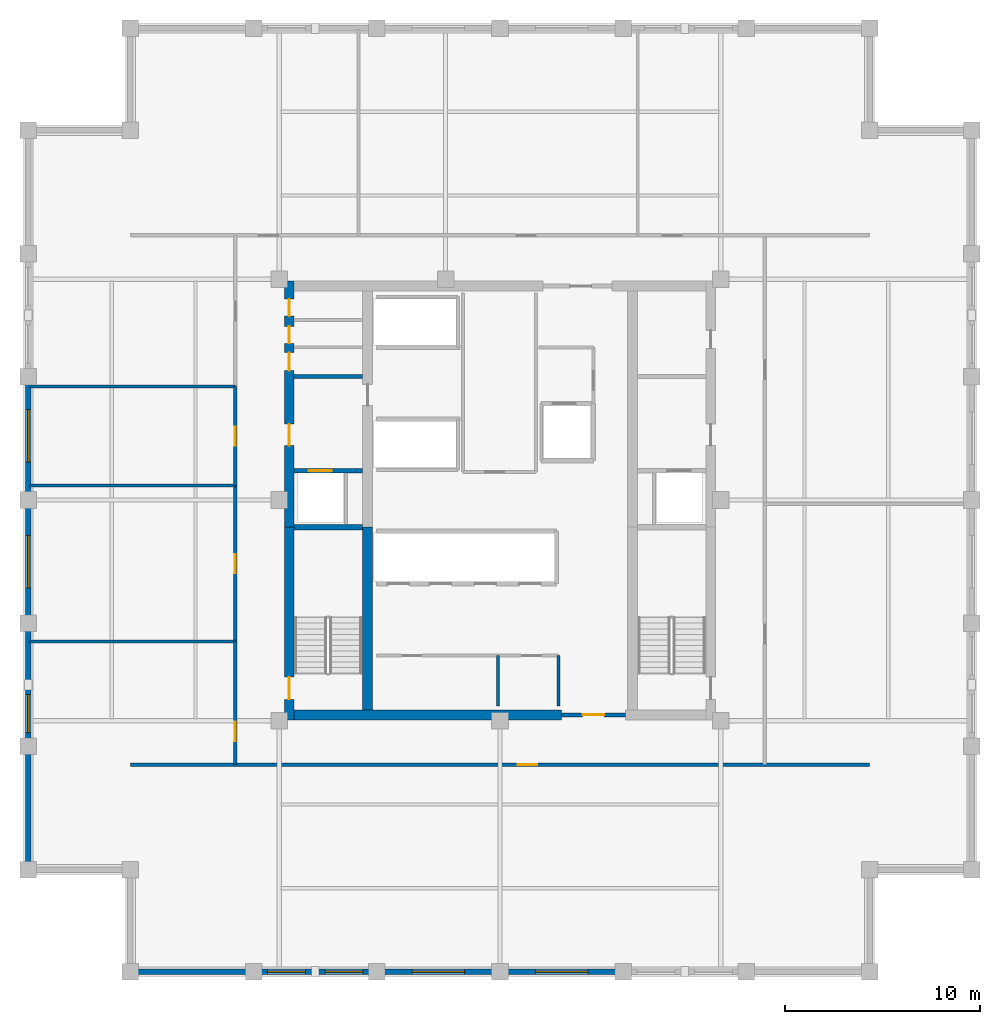
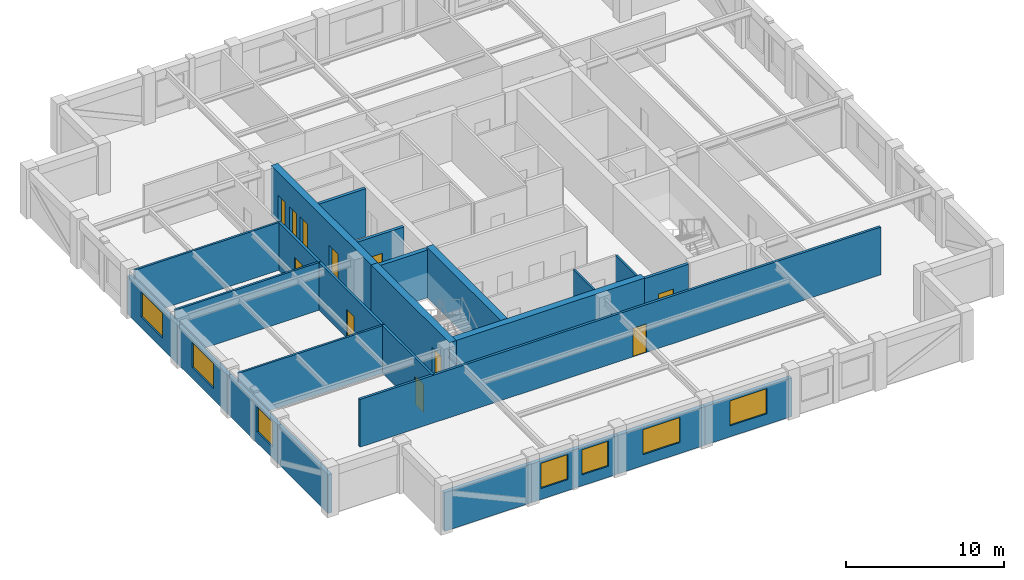
# One storey, part 2 of 6: 25 walls, 11 doors, 7 windows, 18 openings.
"""IFC4 building model written with IfcOpenShell, lengths in metres."""

from ifc_helpers import new_model, si_unit, direction, frame, frame_2d, origin, place, context, subcontext, project, spatial, rectangle, extrude, material, layer, layer_set, type_object, element, fill, save


model = new_model("IFC4")

# Units and contexts
model_context = context("Model", 3, precision=1e-05, world=origin(), true_north=direction((0.0, 1.0)))
body_context = subcontext(model_context, "Body", "Model", "MODEL_VIEW")
ifc_project = project(units=[si_unit("LENGTHUNIT", "METRE"), si_unit("AREAUNIT", "SQUARE_METRE"), si_unit("VOLUMEUNIT", "CUBIC_METRE"), si_unit("PLANEANGLEUNIT", "RADIAN"), si_unit("MASSUNIT", "GRAM", prefix="KILO")], contexts=[model_context])

# Site, building, storey
site_placement = place(None, origin())
site = spatial("IfcSite", under=ifc_project, at=site_placement, CompositionType="ELEMENT")
building_placement = place(site_placement, origin())
building = spatial("IfcBuilding", under=site, at=building_placement, Name="Nhamokura Convention Tower", CompositionType="ELEMENT")
storey_placement = place(building_placement, frame((0.0, 0.0, 194.60009765625)))
storey = spatial("IfcBuildingStorey", under=building, at=storey_placement, Name="L47", CompositionType="ELEMENT", Elevation=194.60009765625)

# Wall
ifc_material_1 = material(Name="Bronze-pigmented precast concrete C45/55", Category="concrete")
ifc_layer_1 = layer(ifc_material_1, 0.280029296875)
ifc_layer_set_1 = layer_set([ifc_layer_1], Name="BronzePrecastSpandrel_280")
wall_type_1 = type_object("IfcWallType", Name="BronzePrecastSpandrel_280", PredefinedType="USERDEFINED", material=ifc_layer_set_1)
wall_1_placement = place(storey_placement, frame((19.333251953125, 7.75, 0.0), z_axis=(0.0, 0.0, 1.0), x_axis=(-1.0, 0.0, 0.0)))
element("IfcWall", 1, at=wall_1_placement, inside=storey, type_object=wall_type_1, Name="L47 Braced-Bay Precast Wall SOUTH 0", ObjectType="SPANDREL_WALL", PredefinedType="USERDEFINED", context=body_context, shape_type="SweptSolid", body=[
    extrude(rectangle(XDim=6.333251953125, YDim=0.280029296875, at=frame_2d((3.16650390625, 0.0))), origin(), (0.0, 0.0, 1.0), 2.98486328125),
])

# Wall, openings, windows
wall_2_placement = place(storey_placement, frame((25.666748046875, 7.75, 0.0), z_axis=(0.0, 0.0, 1.0), x_axis=(-1.0, 0.0, 0.0)))
wall_2 = element("IfcWall", 2, at=wall_2_placement, inside=storey, type_object=wall_type_1, Name="L47 Masonry-Frame Wall SOUTH 1", ObjectType="SPANDREL_WALL", PredefinedType="USERDEFINED", context=body_context, shape_type="SweptSolid", body=[
    extrude(rectangle(XDim=6.33349609375, YDim=0.280029296875, at=frame_2d((3.166748046875, 0.0))), origin(), (0.0, 0.0, 1.0), 2.98486328125),
])
opening_1_placement = place(wall_2_placement, frame((0.708251953125, 0.0, 0.85009765625)))
opening_1 = element("IfcOpeningElement", 3, at=opening_1_placement, cuts=wall_2, Name="Opening W-08", PredefinedType="OPENING", context=body_context, shape_type="SweptSolid", body=[
    extrude(rectangle(XDim=1.949951171875, YDim=1.93505859375, at=frame_2d((0.97509765625, 0.967529296875))), frame((0.0, 0.14990234375, 0.0), z_axis=(0.0, -1.0, 0.0), x_axis=(1.0, 0.0, 0.0)), (0.0, 0.0, 1.0), 0.300048828125),
])
opening_2_placement = place(wall_2_placement, frame((3.675048828125, 0.0, 0.85009765625)))
opening_2 = element("IfcOpeningElement", 4, at=opening_2_placement, cuts=wall_2, Name="Opening W-08", PredefinedType="OPENING", context=body_context, shape_type="SweptSolid", body=[
    extrude(rectangle(XDim=1.949951171875, YDim=1.93505859375, at=frame_2d((0.97509765625, 0.967529296875))), frame((0.0, 0.14990234375, 0.0), z_axis=(0.0, -1.0, 0.0), x_axis=(1.0, 0.0, 0.0)), (0.0, 0.0, 1.0), 0.300048828125),
])
ifc_material_2 = material(Name="Solar-control bronze low-E double glass", Category="glass")
window_type_1 = type_object("IfcWindowType", Name="OfficeModuleWindow_Z3_1950", PartitioningType="SINGLE_PANEL", PredefinedType="WINDOW", material=ifc_material_2)
window_1_placement = place(opening_1_placement, origin())
window_1 = element("IfcWindow", 5, at=window_1_placement, inside=storey, type_object=window_type_1, Name="L47 Facade Window SOUTH 1-1", OverallHeight=1.93505859375, OverallWidth=1.949951171875, PartitioningType="SINGLE_PANEL", PredefinedType="WINDOW", context=body_context, shape_type="SweptSolid", body=[
    extrude(rectangle(XDim=1.949951171875, YDim=1.93505859375, at=frame_2d((0.97509765625, 0.967529296875))), frame((0.0, 0.030029296875, 0.0), z_axis=(0.0, -1.0, 0.0), x_axis=(1.0, 0.0, 0.0)), (0.0, 0.0, 1.0), 0.06005859375),
])
fill(opening_1, window_1)
window_2_placement = place(opening_2_placement, origin())
window_2 = element("IfcWindow", 6, at=window_2_placement, inside=storey, type_object=window_type_1, Name="L47 Facade Window SOUTH 1-2", OverallHeight=1.93505859375, OverallWidth=1.949951171875, PartitioningType="SINGLE_PANEL", PredefinedType="WINDOW", context=body_context, shape_type="SweptSolid", body=[
    extrude(rectangle(XDim=1.949951171875, YDim=1.93505859375, at=frame_2d((0.97509765625, 0.967529296875))), frame((0.0, 0.030029296875, 0.0), z_axis=(0.0, -1.0, 0.0), x_axis=(1.0, 0.0, 0.0)), (0.0, 0.0, 1.0), 0.06005859375),
])
fill(opening_2, window_2)

# Wall, opening, window
wall_3_placement = place(storey_placement, frame((32.0, 7.75, 0.0), z_axis=(0.0, 0.0, 1.0), x_axis=(-1.0, 0.0, 0.0)))
wall_3 = element("IfcWall", 7, at=wall_3_placement, inside=storey, type_object=wall_type_1, Name="L47 Masonry-Frame Wall SOUTH 2", ObjectType="SPANDREL_WALL", PredefinedType="USERDEFINED", context=body_context, shape_type="SweptSolid", body=[
    extrude(rectangle(XDim=6.333251953125, YDim=0.280029296875, at=frame_2d((3.16650390625, 0.0))), origin(), (0.0, 0.0, 1.0), 2.98486328125),
])
opening_3_placement = place(wall_3_placement, frame((1.816650390625, 0.0, 0.85009765625)))
opening_3 = element("IfcOpeningElement", 8, at=opening_3_placement, cuts=wall_3, Name="Opening W-07", PredefinedType="OPENING", context=body_context, shape_type="SweptSolid", body=[
    extrude(rectangle(XDim=2.699951171875, YDim=1.93505859375, at=frame_2d((1.35009765625, 0.967529296875))), frame((0.0, 0.14990234375, 0.0), z_axis=(0.0, -1.0, 0.0), x_axis=(1.0, 0.0, 0.0)), (0.0, 0.0, 1.0), 0.300048828125),
])
ifc_material_3 = material(Name="Solar-control bronze low-E double glass", Category="glass")
window_type_2 = type_object("IfcWindowType", Name="OfficeModuleWindow_Z3_2700", PartitioningType="DOUBLE_PANEL_VERTICAL", PredefinedType="WINDOW", material=ifc_material_3)
window_3_placement = place(opening_3_placement, origin())
window_3 = element("IfcWindow", 9, at=window_3_placement, inside=storey, type_object=window_type_2, Name="L47 Facade Window SOUTH 2", OverallHeight=1.93505859375, OverallWidth=2.699951171875, PartitioningType="SINGLE_PANEL", PredefinedType="WINDOW", context=body_context, shape_type="SweptSolid", body=[
    extrude(rectangle(XDim=2.699951171875, YDim=1.93505859375, at=frame_2d((1.35009765625, 0.967529296875))), frame((0.0, 0.030029296875, 0.0), z_axis=(0.0, -1.0, 0.0), x_axis=(1.0, 0.0, 0.0)), (0.0, 0.0, 1.0), 0.06005859375),
])
fill(opening_3, window_3)

wall_4_placement = place(storey_placement, frame((38.333251953125, 7.75, 0.0), z_axis=(0.0, 0.0, 1.0), x_axis=(-1.0, 0.0, 0.0)))
wall_4 = element("IfcWall", 10, at=wall_4_placement, inside=storey, type_object=wall_type_1, Name="L47 Masonry-Frame Wall SOUTH 3", ObjectType="SPANDREL_WALL", PredefinedType="USERDEFINED", context=body_context, shape_type="SweptSolid", body=[
    extrude(rectangle(XDim=6.333251953125, YDim=0.280029296875, at=frame_2d((3.16650390625, 0.0))), origin(), (0.0, 0.0, 1.0), 2.98486328125),
])
opening_4_placement = place(wall_4_placement, frame((1.816650390625, 0.0, 0.85009765625)))
opening_4 = element("IfcOpeningElement", 11, at=opening_4_placement, cuts=wall_4, Name="Opening W-07", PredefinedType="OPENING", context=body_context, shape_type="SweptSolid", body=[
    extrude(rectangle(XDim=2.699951171875, YDim=1.93505859375, at=frame_2d((1.35009765625, 0.967529296875))), frame((0.0, 0.14990234375, 0.0), z_axis=(0.0, -1.0, 0.0), x_axis=(1.0, 0.0, 0.0)), (0.0, 0.0, 1.0), 0.300048828125),
])
window_4_placement = place(opening_4_placement, origin())
window_4 = element("IfcWindow", 12, at=window_4_placement, inside=storey, type_object=window_type_2, Name="L47 Facade Window SOUTH 3", OverallHeight=1.93505859375, OverallWidth=2.699951171875, PartitioningType="SINGLE_PANEL", PredefinedType="WINDOW", context=body_context, shape_type="SweptSolid", body=[
    extrude(rectangle(XDim=2.699951171875, YDim=1.93505859375, at=frame_2d((1.35009765625, 0.967529296875))), frame((0.0, 0.030029296875, 0.0), z_axis=(0.0, -1.0, 0.0), x_axis=(1.0, 0.0, 0.0)), (0.0, 0.0, 1.0), 0.06005859375),
])
fill(opening_4, window_4)

# Wall
wall_5_placement = place(storey_placement, frame((7.75, 13.0, 0.0), z_axis=(0.0, 0.0, 1.0), x_axis=(0.0, 1.0, 0.0)))
element("IfcWall", 13, at=wall_5_placement, inside=storey, type_object=wall_type_1, Name="L47 Braced-Bay Precast Wall WEST 0", ObjectType="SPANDREL_WALL", PredefinedType="USERDEFINED", context=body_context, shape_type="SweptSolid", body=[
    extrude(rectangle(XDim=6.333251953125, YDim=0.280029296875, at=frame_2d((3.16650390625, 0.0))), origin(), (0.0, 0.0, 1.0), 2.98486328125),
])

# Wall, opening, window
wall_6_placement = place(storey_placement, frame((7.75, 19.333251953125, 0.0), z_axis=(0.0, 0.0, 1.0), x_axis=(0.0, 1.0, 0.0)))
wall_6 = element("IfcWall", 14, at=wall_6_placement, inside=storey, type_object=wall_type_1, Name="L47 Masonry-Frame Wall WEST 1", ObjectType="SPANDREL_WALL", PredefinedType="USERDEFINED", context=body_context, shape_type="SweptSolid", body=[
    extrude(rectangle(XDim=6.33349609375, YDim=0.280029296875, at=frame_2d((3.166748046875, 0.0))), origin(), (0.0, 0.0, 1.0), 2.98486328125),
])
opening_5_placement = place(wall_6_placement, frame((0.708251953125, 0.0, 0.85009765625)))
opening_5 = element("IfcOpeningElement", 15, at=opening_5_placement, cuts=wall_6, Name="Opening W-08", PredefinedType="OPENING", context=body_context, shape_type="SweptSolid", body=[
    extrude(rectangle(XDim=1.949951171875, YDim=1.93505859375, at=frame_2d((0.97509765625, 0.967529296875))), frame((0.0, 0.14990234375, 0.0), z_axis=(0.0, -1.0, 0.0), x_axis=(1.0, 0.0, 0.0)), (0.0, 0.0, 1.0), 0.300048828125),
])
window_5_placement = place(opening_5_placement, origin())
window_5 = element("IfcWindow", 16, at=window_5_placement, inside=storey, type_object=window_type_1, Name="L47 Facade Window WEST 1-1", OverallHeight=1.93505859375, OverallWidth=1.949951171875, PartitioningType="SINGLE_PANEL", PredefinedType="WINDOW", context=body_context, shape_type="SweptSolid", body=[
    extrude(rectangle(XDim=1.949951171875, YDim=1.93505859375, at=frame_2d((0.97509765625, 0.967529296875))), frame((0.0, 0.030029296875, 0.0), z_axis=(0.0, -1.0, 0.0), x_axis=(1.0, 0.0, 0.0)), (0.0, 0.0, 1.0), 0.06005859375),
])
fill(opening_5, window_5)

wall_7_placement = place(storey_placement, frame((7.75, 25.666748046875, 0.0), z_axis=(0.0, 0.0, 1.0), x_axis=(0.0, 1.0, 0.0)))
wall_7 = element("IfcWall", 17, at=wall_7_placement, inside=storey, type_object=wall_type_1, Name="L47 Masonry-Frame Wall WEST 2", ObjectType="SPANDREL_WALL", PredefinedType="USERDEFINED", context=body_context, shape_type="SweptSolid", body=[
    extrude(rectangle(XDim=6.333251953125, YDim=0.280029296875, at=frame_2d((3.16650390625, 0.0))), origin(), (0.0, 0.0, 1.0), 2.98486328125),
])
opening_6_placement = place(wall_7_placement, frame((1.816650390625, 0.0, 0.85009765625)))
opening_6 = element("IfcOpeningElement", 18, at=opening_6_placement, cuts=wall_7, Name="Opening W-07", PredefinedType="OPENING", context=body_context, shape_type="SweptSolid", body=[
    extrude(rectangle(XDim=2.699951171875, YDim=1.93505859375, at=frame_2d((1.35009765625, 0.967529296875))), frame((0.0, 0.14990234375, 0.0), z_axis=(0.0, -1.0, 0.0), x_axis=(1.0, 0.0, 0.0)), (0.0, 0.0, 1.0), 0.300048828125),
])
window_6_placement = place(opening_6_placement, origin())
window_6 = element("IfcWindow", 19, at=window_6_placement, inside=storey, type_object=window_type_2, Name="L47 Facade Window WEST 2", OverallHeight=1.93505859375, OverallWidth=2.699951171875, PartitioningType="SINGLE_PANEL", PredefinedType="WINDOW", context=body_context, shape_type="SweptSolid", body=[
    extrude(rectangle(XDim=2.699951171875, YDim=1.93505859375, at=frame_2d((1.35009765625, 0.967529296875))), frame((0.0, 0.030029296875, 0.0), z_axis=(0.0, -1.0, 0.0), x_axis=(1.0, 0.0, 0.0)), (0.0, 0.0, 1.0), 0.06005859375),
])
fill(opening_6, window_6)

wall_8_placement = place(storey_placement, frame((7.75, 32.0, 0.0), z_axis=(0.0, 0.0, 1.0), x_axis=(0.0, 1.0, 0.0)))
wall_8 = element("IfcWall", 20, at=wall_8_placement, inside=storey, type_object=wall_type_1, Name="L47 Masonry-Frame Wall WEST 3", ObjectType="SPANDREL_WALL", PredefinedType="USERDEFINED", context=body_context, shape_type="SweptSolid", body=[
    extrude(rectangle(XDim=6.333251953125, YDim=0.280029296875, at=frame_2d((3.16650390625, 0.0))), origin(), (0.0, 0.0, 1.0), 2.98486328125),
])
opening_7_placement = place(wall_8_placement, frame((1.941650390625, 0.0, 0.85009765625)))
opening_7 = element("IfcOpeningElement", 21, at=opening_7_placement, cuts=wall_8, Name="Opening W-07", PredefinedType="OPENING", context=body_context, shape_type="SweptSolid", body=[
    extrude(rectangle(XDim=2.699951171875, YDim=1.93505859375, at=frame_2d((1.35009765625, 0.967529296875))), frame((0.0, 0.14990234375, 0.0), z_axis=(0.0, -1.0, 0.0), x_axis=(1.0, 0.0, 0.0)), (0.0, 0.0, 1.0), 0.300048828125),
])
window_7_placement = place(opening_7_placement, origin())
window_7 = element("IfcWindow", 22, at=window_7_placement, inside=storey, type_object=window_type_2, Name="L47 Facade Window WEST 3", OverallHeight=1.93505859375, OverallWidth=2.699951171875, PartitioningType="SINGLE_PANEL", PredefinedType="WINDOW", context=body_context, shape_type="SweptSolid", body=[
    extrude(rectangle(XDim=2.699951171875, YDim=1.93505859375, at=frame_2d((1.35009765625, 0.967529296875))), frame((0.0, 0.030029296875, 0.0), z_axis=(0.0, -1.0, 0.0), x_axis=(1.0, 0.0, 0.0)), (0.0, 0.0, 1.0), 0.06005859375),
])
fill(opening_7, window_7)

# Wall, opening, door
ifc_material_4 = material(Name="Concrete C60/75", Category="concrete")
ifc_layer_2 = layer(ifc_material_4, 0.5)
ifc_layer_set_2 = layer_set([ifc_layer_2], Name="CoreShearWall_500")
wall_type_2 = type_object("IfcWallType", Name="CoreShearWall_500", PredefinedType="SHEAR", material=ifc_layer_set_2)
wall_9_placement = place(storey_placement, frame((21.159912109375, 20.699951171875, 0.0), z_axis=(0.0, 0.0, 1.0), x_axis=(0.0, 1.0, 0.0)))
wall_9 = element("IfcWall", 23, at=wall_9_placement, inside=storey, type_object=wall_type_2, Name="L47 Core Shear Wall CW-WS", PredefinedType="SHEAR", context=body_context, shape_type="SweptSolid", body=[
    extrude(rectangle(XDim=9.900146484375, YDim=0.5, at=frame_2d((4.9501953125, 0.0))), origin(), (0.0, 0.0, 1.0), 3.849853515625),
])
opening_8_placement = place(wall_9_placement, frame((1.050048828125, 0.0, 0.0)))
opening_8 = element("IfcOpeningElement", 24, at=opening_8_placement, cuts=wall_9, Name="Opening D-04", PredefinedType="OPENING", context=body_context, shape_type="SweptSolid", body=[
    extrude(rectangle(XDim=1.14990234375, YDim=2.14990234375, at=frame_2d((0.574951171875, 1.074951171875))), frame((0.0, 0.260009765625, 0.0), z_axis=(0.0, -1.0, 0.0), x_axis=(1.0, 0.0, 0.0)), (0.0, 0.0, 1.0), 0.52001953125),
])
ifc_material_5 = material(Name="Fire-rated steel door", Category="steel")
door_type_1 = type_object("IfcDoorType", Name="StairSmokeDoor_1150", OperationType="NOTDEFINED", PredefinedType="DOOR", material=ifc_material_5)
door_1_placement = place(opening_8_placement, origin())
door_1 = element("IfcDoor", 25, at=door_1_placement, inside=storey, type_object=door_type_1, Name="L47 Core Door INT-L47-D-ST01", OperationType="SINGLE_SWING_LEFT", OverallHeight=2.14990234375, OverallWidth=1.14990234375, PredefinedType="DOOR", context=body_context, shape_type="SweptSolid", body=[
    extrude(rectangle(XDim=1.14990234375, YDim=2.14990234375, at=frame_2d((0.574951171875, 1.074951171875))), frame((0.0, 0.02490234375, 0.0), z_axis=(0.0, -1.0, 0.0), x_axis=(1.0, 0.0, 0.0)), (0.0, 0.0, 1.0), 0.050048828125),
])
fill(opening_8, door_1)

# Wall, openings, doors
wall_10_placement = place(storey_placement, frame((21.159912109375, 30.60009765625, 0.0), z_axis=(0.0, 0.0, 1.0), x_axis=(0.0, 1.0, 0.0)))
wall_10 = element("IfcWall", 26, at=wall_10_placement, inside=storey, type_object=wall_type_2, Name="L47 Core Shear Wall CW-WN", PredefinedType="SHEAR", context=body_context, shape_type="SweptSolid", body=[
    extrude(rectangle(XDim=12.64990234375, YDim=0.5, at=frame_2d((6.324951171875, 0.0))), origin(), (0.0, 0.0, 1.0), 3.849853515625),
])
opening_9_placement = place(wall_10_placement, frame((4.199951171875, 0.0, 0.0)))
opening_9 = element("IfcOpeningElement", 27, at=opening_9_placement, cuts=wall_10, Name="Opening D-05", PredefinedType="OPENING", context=body_context, shape_type="SweptSolid", body=[
    extrude(rectangle(XDim=1.10009765625, YDim=2.14990234375, at=frame_2d((0.550048828125, 1.074951171875))), frame((0.0, 0.260009765625, 0.0), z_axis=(0.0, -1.0, 0.0), x_axis=(1.0, 0.0, 0.0)), (0.0, 0.0, 1.0), 0.52001953125),
])
opening_10_placement = place(wall_10_placement, frame((8.050048828125, 0.0, 0.0)))
opening_10 = element("IfcOpeningElement", 28, at=opening_10_placement, cuts=wall_10, Name="Opening D-10", PredefinedType="OPENING", context=body_context, shape_type="SweptSolid", body=[
    extrude(rectangle(XDim=0.919921875, YDim=2.10009765625, at=frame_2d((0.4599609375, 1.050048828125))), frame((0.0, 0.260009765625, 0.0), z_axis=(0.0, -1.0, 0.0), x_axis=(1.0, 0.0, 0.0)), (0.0, 0.0, 1.0), 0.52001953125),
])
opening_11_placement = place(wall_10_placement, frame((9.449951171875, 0.0, 0.0)))
opening_11 = element("IfcOpeningElement", 29, at=opening_11_placement, cuts=wall_10, Name="Opening D-11", PredefinedType="OPENING", context=body_context, shape_type="SweptSolid", body=[
    extrude(rectangle(XDim=0.8798828125, YDim=2.10009765625, at=frame_2d((0.43994140625, 1.050048828125))), frame((0.0, 0.260009765625, 0.0), z_axis=(0.0, -1.0, 0.0), x_axis=(1.0, 0.0, 0.0)), (0.0, 0.0, 1.0), 0.52001953125),
])
opening_12_placement = place(wall_10_placement, frame((10.85009765625, 0.0, 0.0)))
opening_12 = element("IfcOpeningElement", 30, at=opening_12_placement, cuts=wall_10, Name="Opening D-11", PredefinedType="OPENING", context=body_context, shape_type="SweptSolid", body=[
    extrude(rectangle(XDim=0.8798828125, YDim=2.10009765625, at=frame_2d((0.43994140625, 1.050048828125))), frame((0.0, 0.260009765625, 0.0), z_axis=(0.0, -1.0, 0.0), x_axis=(1.0, 0.0, 0.0)), (0.0, 0.0, 1.0), 0.52001953125),
])
ifc_material_6 = material(Name="Solid oak hardwood", Category="wood")
door_type_2 = type_object("IfcDoorType", Name="AccessibleWCDoor_920", OperationType="NOTDEFINED", PredefinedType="DOOR", material=ifc_material_6)
door_2_placement = place(opening_10_placement, origin())
door_2 = element("IfcDoor", 31, at=door_2_placement, inside=storey, type_object=door_type_2, Name="L47 Core Door INT-L47-D-AWC", OperationType="SINGLE_SWING_LEFT", OverallHeight=2.10009765625, OverallWidth=0.919921875, PredefinedType="DOOR", context=body_context, shape_type="SweptSolid", body=[
    extrude(rectangle(XDim=0.919921875, YDim=2.10009765625, at=frame_2d((0.4599609375, 1.050048828125))), frame((0.0, 0.02490234375, 0.0), z_axis=(0.0, -1.0, 0.0), x_axis=(1.0, 0.0, 0.0)), (0.0, 0.0, 1.0), 0.050048828125),
])
fill(opening_10, door_2)
ifc_material_7 = material(Name="Solid oak hardwood", Category="wood")
door_type_3 = type_object("IfcDoorType", Name="BathroomDoor_880", OperationType="NOTDEFINED", PredefinedType="DOOR", material=ifc_material_7)
door_3_placement = place(opening_11_placement, origin())
door_3 = element("IfcDoor", 32, at=door_3_placement, inside=storey, type_object=door_type_3, Name="L47 Core Door INT-L47-D-CLN", OperationType="SINGLE_SWING_RIGHT", OverallHeight=2.10009765625, OverallWidth=0.8798828125, PredefinedType="DOOR", context=body_context, shape_type="SweptSolid", body=[
    extrude(rectangle(XDim=0.8798828125, YDim=2.10009765625, at=frame_2d((0.43994140625, 1.050048828125))), frame((0.0, 0.02490234375, 0.0), z_axis=(0.0, -1.0, 0.0), x_axis=(1.0, 0.0, 0.0)), (0.0, 0.0, 1.0), 0.050048828125),
])
fill(opening_11, door_3)
door_4_placement = place(opening_12_placement, origin())
door_4 = element("IfcDoor", 33, at=door_4_placement, inside=storey, type_object=door_type_3, Name="L47 Core Door INT-L47-D-PNT", OperationType="SINGLE_SWING_LEFT", OverallHeight=2.10009765625, OverallWidth=0.8798828125, PredefinedType="DOOR", context=body_context, shape_type="SweptSolid", body=[
    extrude(rectangle(XDim=0.8798828125, YDim=2.10009765625, at=frame_2d((0.43994140625, 1.050048828125))), frame((0.0, 0.02490234375, 0.0), z_axis=(0.0, -1.0, 0.0), x_axis=(1.0, 0.0, 0.0)), (0.0, 0.0, 1.0), 0.050048828125),
])
fill(opening_12, door_4)
ifc_material_8 = material(Name="Fire-rated steel door", Category="steel")
door_type_4 = type_object("IfcDoorType", Name="FireLobbyDoor_1100", OperationType="NOTDEFINED", PredefinedType="DOOR", material=ifc_material_8)
door_5_placement = place(opening_9_placement, origin())
door_5 = element("IfcDoor", 34, at=door_5_placement, inside=storey, type_object=door_type_4, Name="L47 Core Door INT-L47-D-FFLW", OperationType="SINGLE_SWING_RIGHT", OverallHeight=2.14990234375, OverallWidth=1.10009765625, PredefinedType="DOOR", context=body_context, shape_type="SweptSolid", body=[
    extrude(rectangle(XDim=1.10009765625, YDim=2.14990234375, at=frame_2d((0.550048828125, 1.074951171875))), frame((0.0, 0.02490234375, 0.0), z_axis=(0.0, -1.0, 0.0), x_axis=(1.0, 0.0, 0.0)), (0.0, 0.0, 1.0), 0.050048828125),
])
fill(opening_9, door_5)

# Walls
wall_11_placement = place(storey_placement, frame((21.409912109375, 20.949951171875, 0.0), z_axis=(0.0, 0.0, 1.0), x_axis=(1.0, 0.0, 0.0)))
element("IfcWall", 35, at=wall_11_placement, inside=storey, type_object=wall_type_2, Name="L47 Core Shear Wall CW-S1", PredefinedType="SHEAR", context=body_context, shape_type="SweptSolid", body=[
    extrude(rectangle(XDim=13.739990234375, YDim=0.5, at=frame_2d((6.8701171875, 0.0))), origin(), (0.0, 0.0, 1.0), 3.849853515625),
])
wall_12_placement = place(storey_placement, frame((25.18994140625, 21.199951171875, 0.0), z_axis=(0.0, 0.0, 1.0), x_axis=(0.0, 1.0, 0.0)))
element("IfcWall", 36, at=wall_12_placement, inside=storey, type_object=wall_type_2, Name="L47 Core Shear Wall CW-IWS", PredefinedType="SHEAR", context=body_context, shape_type="SweptSolid", body=[
    extrude(rectangle(XDim=9.400146484375, YDim=0.5, at=frame_2d((4.7001953125, 0.0))), origin(), (0.0, 0.0, 1.0), 3.849853515625),
])

# Wall, opening, door
ifc_material_9 = material(Name="Fire-rated gypsum and masonry partition", Category="masonry")
ifc_layer_3 = layer(ifc_material_9, 0.179931640625)
ifc_layer_set_3 = layer_set([ifc_layer_3], Name="CorridorRatedWall_180")
wall_type_3 = type_object("IfcWallType", Name="CorridorRatedWall_180", PredefinedType="STANDARD", material=ifc_layer_set_3)
wall_13_placement = place(storey_placement, frame((13.0, 18.39990234375, 0.0), z_axis=(0.0, 0.0, 1.0), x_axis=(1.0, 0.0, 0.0)))
wall_13 = element("IfcWall", 37, at=wall_13_placement, inside=storey, type_object=wall_type_3, Name="L47 Wall INT-L47-CW-S00", PredefinedType="STANDARD", context=body_context, shape_type="SweptSolid", body=[
    extrude(rectangle(XDim=38.0, YDim=0.179931640625, at=frame_2d((19.0, 0.0))), origin(), (0.0, 0.0, 1.0), 3.684814453125),
])
opening_13_placement = place(wall_13_placement, frame((19.925048828125, 0.0, 0.0)))
opening_13 = element("IfcOpeningElement", 38, at=opening_13_placement, cuts=wall_13, Name="Opening D-08", PredefinedType="OPENING", context=body_context, shape_type="SweptSolid", body=[
    extrude(rectangle(XDim=0.97998046875, YDim=2.199951171875, at=frame_2d((0.489990234375, 1.10009765625))), frame((0.0, 0.099853515625, 0.0), z_axis=(0.0, -1.0, 0.0), x_axis=(1.0, 0.0, 0.0)), (0.0, 0.0, 1.0), 0.199951171875),
])
ifc_material_10 = material(Name="Solid oak hardwood", Category="wood")
door_type_5 = type_object("IfcDoorType", Name="OfficeEntryDoor_980", OperationType="NOTDEFINED", PredefinedType="DOOR", material=ifc_material_10)
door_6_placement = place(opening_13_placement, origin())
door_6 = element("IfcDoor", 39, at=door_6_placement, inside=storey, type_object=door_type_5, Name="L47 Open Plan Office S01 Door", OperationType="SINGLE_SWING_LEFT", OverallHeight=2.199951171875, OverallWidth=0.97998046875, PredefinedType="DOOR", context=body_context, shape_type="SweptSolid", body=[
    extrude(rectangle(XDim=0.97998046875, YDim=2.199951171875, at=frame_2d((0.489990234375, 1.10009765625))), frame((0.0, 0.02490234375, 0.0), z_axis=(0.0, -1.0, 0.0), x_axis=(1.0, 0.0, 0.0)), (0.0, 0.0, 1.0), 0.050048828125),
])
fill(opening_13, door_6)

wall_14_placement = place(storey_placement, frame((18.39990234375, 18.39990234375, 0.0), z_axis=(0.0, 0.0, 1.0), x_axis=(0.0, 1.0, 0.0)))
wall_14 = element("IfcWall", 40, at=wall_14_placement, inside=storey, type_object=wall_type_3, Name="L47 Wall INT-L47-CW-W00", PredefinedType="STANDARD", context=body_context, shape_type="SweptSolid", body=[
    extrude(rectangle(XDim=6.31689453125, YDim=0.179931640625, at=frame_2d((3.158447265625, 0.0))), origin(), (0.0, 0.0, 1.0), 3.684814453125),
])
opening_14_placement = place(wall_14_placement, frame((1.208251953125, 0.0, 0.0)))
opening_14 = element("IfcOpeningElement", 41, at=opening_14_placement, cuts=wall_14, Name="Opening D-08", PredefinedType="OPENING", context=body_context, shape_type="SweptSolid", body=[
    extrude(rectangle(XDim=0.97998046875, YDim=2.199951171875, at=frame_2d((0.489990234375, 1.10009765625))), frame((0.0, 0.099853515625, 0.0), z_axis=(0.0, -1.0, 0.0), x_axis=(1.0, 0.0, 0.0)), (0.0, 0.0, 1.0), 0.199951171875),
])
door_7_placement = place(opening_14_placement, origin())
door_7 = element("IfcDoor", 42, at=door_7_placement, inside=storey, type_object=door_type_5, Name="L47 Private Office W01 Door", OperationType="SINGLE_SWING_LEFT", OverallHeight=2.199951171875, OverallWidth=0.97998046875, PredefinedType="DOOR", context=body_context, shape_type="SweptSolid", body=[
    extrude(rectangle(XDim=0.97998046875, YDim=2.199951171875, at=frame_2d((0.489990234375, 1.10009765625))), frame((0.0, 0.02490234375, 0.0), z_axis=(0.0, -1.0, 0.0), x_axis=(1.0, 0.0, 0.0)), (0.0, 0.0, 1.0), 0.050048828125),
])
fill(opening_14, door_7)

wall_15_placement = place(storey_placement, frame((18.39990234375, 24.716796875, 0.0), z_axis=(0.0, 0.0, 1.0), x_axis=(0.0, 1.0, 0.0)))
wall_15 = element("IfcWall", 43, at=wall_15_placement, inside=storey, type_object=wall_type_3, Name="L47 Wall INT-L47-CW-W01", PredefinedType="STANDARD", context=body_context, shape_type="SweptSolid", body=[
    extrude(rectangle(XDim=8.033203125, YDim=0.179931640625, at=frame_2d((4.0166015625, 0.0))), origin(), (0.0, 0.0, 1.0), 3.684814453125),
])
opening_15_placement = place(wall_15_placement, frame((3.5166015625, 0.0, 0.0)))
opening_15 = element("IfcOpeningElement", 44, at=opening_15_placement, cuts=wall_15, Name="Opening D-08", PredefinedType="OPENING", context=body_context, shape_type="SweptSolid", body=[
    extrude(rectangle(XDim=0.97998046875, YDim=2.199951171875, at=frame_2d((0.489990234375, 1.10009765625))), frame((0.0, 0.099853515625, 0.0), z_axis=(0.0, -1.0, 0.0), x_axis=(1.0, 0.0, 0.0)), (0.0, 0.0, 1.0), 0.199951171875),
])
door_8_placement = place(opening_15_placement, origin())
door_8 = element("IfcDoor", 45, at=door_8_placement, inside=storey, type_object=door_type_5, Name="L47 Meeting Room W02 Door", OperationType="SINGLE_SWING_RIGHT", OverallHeight=2.199951171875, OverallWidth=0.97998046875, PredefinedType="DOOR", context=body_context, shape_type="SweptSolid", body=[
    extrude(rectangle(XDim=0.97998046875, YDim=2.199951171875, at=frame_2d((0.489990234375, 1.10009765625))), frame((0.0, 0.02490234375, 0.0), z_axis=(0.0, -1.0, 0.0), x_axis=(1.0, 0.0, 0.0)), (0.0, 0.0, 1.0), 0.050048828125),
])
fill(opening_15, door_8)

wall_16_placement = place(storey_placement, frame((18.39990234375, 32.75, 0.0), z_axis=(0.0, 0.0, 1.0), x_axis=(0.0, 1.0, 0.0)))
wall_16 = element("IfcWall", 46, at=wall_16_placement, inside=storey, type_object=wall_type_3, Name="L47 Wall INT-L47-CW-W02", PredefinedType="STANDARD", context=body_context, shape_type="SweptSolid", body=[
    extrude(rectangle(XDim=5.083251953125, YDim=0.179931640625, at=frame_2d((2.54150390625, 0.0))), origin(), (0.0, 0.0, 1.0), 3.684814453125),
])
opening_16_placement = place(wall_16_placement, frame((2.041748046875, 0.0, 0.0)))
opening_16 = element("IfcOpeningElement", 47, at=opening_16_placement, cuts=wall_16, Name="Opening D-08", PredefinedType="OPENING", context=body_context, shape_type="SweptSolid", body=[
    extrude(rectangle(XDim=0.97998046875, YDim=2.199951171875, at=frame_2d((0.489990234375, 1.10009765625))), frame((0.0, 0.099853515625, 0.0), z_axis=(0.0, -1.0, 0.0), x_axis=(1.0, 0.0, 0.0)), (0.0, 0.0, 1.0), 0.199951171875),
])
door_9_placement = place(opening_16_placement, origin())
door_9 = element("IfcDoor", 48, at=door_9_placement, inside=storey, type_object=door_type_5, Name="L47 Private Office W03 Door", OperationType="SINGLE_SWING_LEFT", OverallHeight=2.199951171875, OverallWidth=0.97998046875, PredefinedType="DOOR", context=body_context, shape_type="SweptSolid", body=[
    extrude(rectangle(XDim=0.97998046875, YDim=2.199951171875, at=frame_2d((0.489990234375, 1.10009765625))), frame((0.0, 0.02490234375, 0.0), z_axis=(0.0, -1.0, 0.0), x_axis=(1.0, 0.0, 0.0)), (0.0, 0.0, 1.0), 0.050048828125),
])
fill(opening_16, door_9)

ifc_material_11 = material(Name="Autoclaved concrete blockwork", Category="masonry")
ifc_layer_4 = layer(ifc_material_11, 0.219970703125)
ifc_layer_set_4 = layer_set([ifc_layer_4], Name="FireLobbyWall_220")
wall_type_4 = type_object("IfcWallType", Name="FireLobbyWall_220", PredefinedType="STANDARD", material=ifc_layer_set_4)
wall_17_placement = place(storey_placement, frame((21.409912109375, 33.5, 0.0), z_axis=(0.0, 0.0, 1.0), x_axis=(1.0, 0.0, 0.0)))
wall_17 = element("IfcWall", 49, at=wall_17_placement, inside=storey, type_object=wall_type_4, Name="L47 Wall INT-L47-FFW-S", PredefinedType="STANDARD", context=body_context, shape_type="SweptSolid", body=[
    extrude(rectangle(XDim=3.530029296875, YDim=0.219970703125, at=frame_2d((1.76513671875, 0.0))), origin(), (0.0, 0.0, 1.0), 3.684814453125),
])
opening_17_placement = place(wall_17_placement, frame((0.75, 0.0, 0.0)))
opening_17 = element("IfcOpeningElement", 50, at=opening_17_placement, cuts=wall_17, Name="Opening LD-02", PredefinedType="OPENING", context=body_context, shape_type="SweptSolid", body=[
    extrude(rectangle(XDim=1.199951171875, YDim=2.199951171875, at=frame_2d((0.60009765625, 1.10009765625))), frame((0.0, 0.119873046875, 0.0), z_axis=(0.0, -1.0, 0.0), x_axis=(1.0, 0.0, 0.0)), (0.0, 0.0, 1.0), 0.239990234375),
])
ifc_material_12 = material(Name="Anodised bronze stainless steel", Category="steel")
door_type_6 = type_object("IfcDoorType", Name="LiftLandingDoor_FireService", OperationType="DOUBLE_DOOR_SLIDING", PredefinedType="DOOR", material=ifc_material_12)
door_10_placement = place(opening_17_placement, origin())
door_10 = element("IfcDoor", 51, at=door_10_placement, inside=storey, type_object=door_type_6, Name="L47 Firefighting Lift LF-01 Door", OperationType="DOUBLE_DOOR_SLIDING", OverallHeight=2.199951171875, OverallWidth=1.199951171875, PredefinedType="DOOR", context=body_context, shape_type="SweptSolid", body=[
    extrude(rectangle(XDim=1.199951171875, YDim=2.199951171875, at=frame_2d((0.60009765625, 1.10009765625))), frame((0.0, 0.02490234375, 0.0), z_axis=(0.0, -1.0, 0.0), x_axis=(1.0, 0.0, 0.0)), (0.0, 0.0, 1.0), 0.050048828125),
])
fill(opening_17, door_10)

# Wall
wall_18_placement = place(storey_placement, frame((21.409912109375, 38.35009765625, 0.0), z_axis=(0.0, 0.0, 1.0), x_axis=(1.0, 0.0, 0.0)))
element("IfcWall", 52, at=wall_18_placement, inside=storey, type_object=wall_type_4, Name="L47 Wall INT-L47-FFW-N", PredefinedType="STANDARD", context=body_context, shape_type="SweptSolid", body=[
    extrude(rectangle(XDim=3.530029296875, YDim=0.219970703125, at=frame_2d((1.76513671875, 0.0))), origin(), (0.0, 0.0, 1.0), 3.684814453125),
])

# Wall, opening, door
wall_19_placement = place(storey_placement, frame((35.14990234375, 20.949951171875, 0.0), z_axis=(0.0, 0.0, 1.0), x_axis=(1.0, 0.0, 0.0)))
wall_19 = element("IfcWall", 53, at=wall_19_placement, inside=storey, type_object=wall_type_4, Name="L47 Wall INT-L47-SPORT-S", PredefinedType="STANDARD", context=body_context, shape_type="SweptSolid", body=[
    extrude(rectangle(XDim=3.300048828125, YDim=0.219970703125, at=frame_2d((1.64990234375, 0.0))), origin(), (0.0, 0.0, 1.0), 3.684814453125),
])
opening_18_placement = place(wall_19_placement, frame((1.10009765625, 0.0, 0.0)))
opening_18 = element("IfcOpeningElement", 54, at=opening_18_placement, cuts=wall_19, Name="Opening D-05", PredefinedType="OPENING", context=body_context, shape_type="SweptSolid", body=[
    extrude(rectangle(XDim=1.10009765625, YDim=2.14990234375, at=frame_2d((0.550048828125, 1.074951171875))), frame((0.0, 0.119873046875, 0.0), z_axis=(0.0, -1.0, 0.0), x_axis=(1.0, 0.0, 0.0)), (0.0, 0.0, 1.0), 0.239990234375),
])
door_11_placement = place(opening_18_placement, origin())
door_11 = element("IfcDoor", 55, at=door_11_placement, inside=storey, type_object=door_type_4, Name="L47 South Core Lobby Portal Door", OperationType="SINGLE_SWING_LEFT", OverallHeight=2.14990234375, OverallWidth=1.10009765625, PredefinedType="DOOR", context=body_context, shape_type="SweptSolid", body=[
    extrude(rectangle(XDim=1.10009765625, YDim=2.14990234375, at=frame_2d((0.550048828125, 1.074951171875))), frame((0.0, 0.02490234375, 0.0), z_axis=(0.0, -1.0, 0.0), x_axis=(1.0, 0.0, 0.0)), (0.0, 0.0, 1.0), 0.050048828125),
])
fill(opening_18, door_11)

# Walls
ifc_material_13 = material(Name="Acoustic gypsum stud partition", Category="masonry")
ifc_layer_5 = layer(ifc_material_13, 0.14990234375)
ifc_layer_set_5 = layer_set([ifc_layer_5], Name="InteriorPartition_150")
wall_type_5 = type_object("IfcWallType", Name="InteriorPartition_150", PredefinedType="STANDARD", material=ifc_layer_set_5)
for number, where, z_axis, x_axis, name in (
    (56, (31.89990234375, 21.39990234375, 0.0), (0.0, 0.0, 1.0), (0.0, 1.0, 0.0), "L47 Wall INT-L47-B1R-M"),
    (57, (35.0, 21.39990234375, 0.0), (0.0, 0.0, 1.0), (0.0, 1.0, 0.0), "L47 Wall INT-L47-B1R-E"),
):
    element("IfcWall", number, at=place(storey_placement, frame(where, z_axis=z_axis, x_axis=x_axis)), inside=storey, type_object=wall_type_5, Name=name, PredefinedType="STANDARD", context=body_context, shape_type="SweptSolid", body=[
        extrude(rectangle(XDim=2.60009765625, YDim=0.14990234375, at=frame_2d((1.300048828125, 0.0))), origin(), (0.0, 0.0, 1.0), 3.684814453125),
    ])
for number, where, z_axis, x_axis, name in (
    (58, (7.81005859375, 24.716796875, 0.0), (0.0, 0.0, 1.0), (1.0, 0.0, 0.0), "L47 Wall INT-L47-RW-W01"),
    (59, (7.81005859375, 32.75, 0.0), (0.0, 0.0, 1.0), (1.0, 0.0, 0.0), "L47 Wall INT-L47-RW-W02"),
    (60, (7.81005859375, 37.833251953125, 0.0), (0.0, 0.0, 1.0), (1.0, 0.0, 0.0), "L47 Wall INT-L47-RW-W03"),
):
    element("IfcWall", number, at=place(storey_placement, frame(where, z_axis=z_axis, x_axis=x_axis)), inside=storey, type_object=wall_type_5, Name=name, PredefinedType="STANDARD", context=body_context, shape_type="SweptSolid", body=[
        extrude(rectangle(XDim=10.58984375, YDim=0.14990234375, at=frame_2d((5.294921875, 0.0))), origin(), (0.0, 0.0, 1.0), 3.684814453125),
    ])
ifc_material_14 = material(Name="Concrete C50/60", Category="concrete")
ifc_layer_6 = layer(ifc_material_14, 0.300048828125)
ifc_layer_set_6 = layer_set([ifc_layer_6], Name="ShaftEnclosureWall_300")
wall_type_6 = type_object("IfcWallType", Name="ShaftEnclosureWall_300", PredefinedType="SHEAR", material=ifc_layer_set_6)
wall_20_placement = place(storey_placement, frame((21.409912109375, 30.60009765625, 0.0), z_axis=(0.0, 0.0, 1.0), x_axis=(1.0, 0.0, 0.0)))
element("IfcWall", 61, at=wall_20_placement, inside=storey, type_object=wall_type_6, Name="L47 Wall INT-L47-ST01-N", PredefinedType="SHEAR", context=body_context, shape_type="SweptSolid", body=[
    extrude(rectangle(XDim=3.530029296875, YDim=0.300048828125, at=frame_2d((1.76513671875, 0.0))), origin(), (0.0, 0.0, 1.0), 3.684814453125),
])

save(model, "model.ifc")
